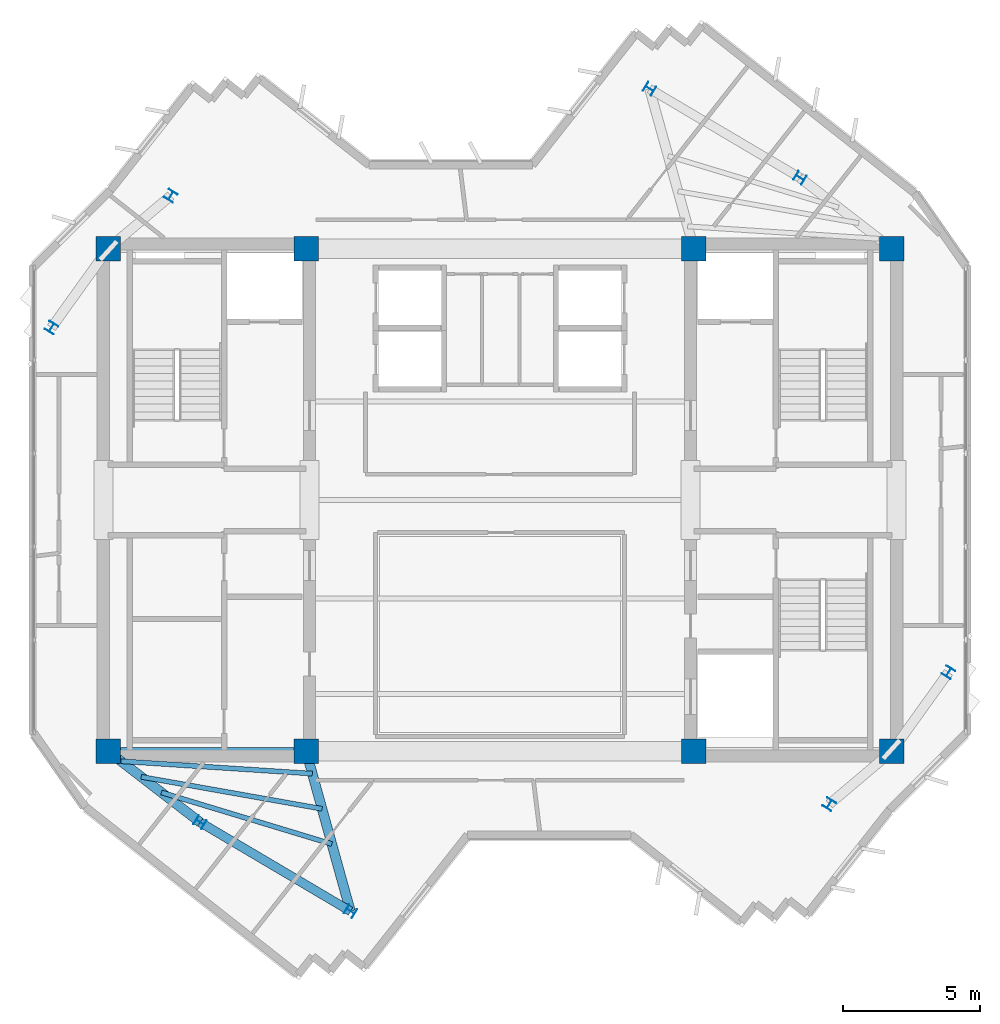
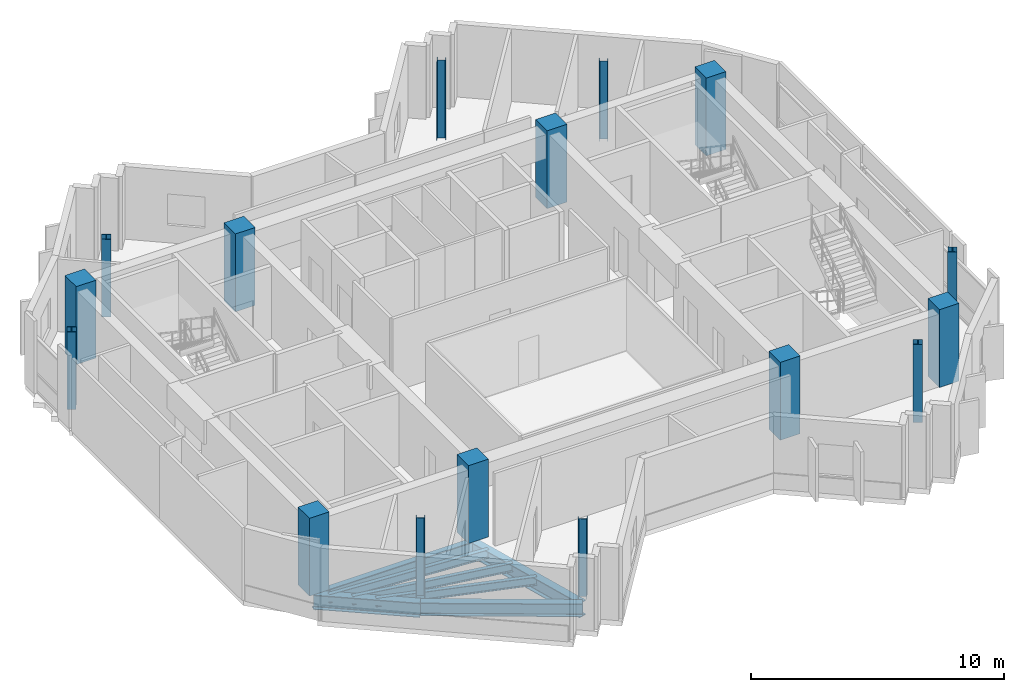
# One storey, part 1 of 10: 16 columns, 7 beams.
"""IFC4 building model written with IfcOpenShell, lengths in metres."""

from ifc_helpers import new_model, si_unit, direction, frame, origin, origin_2d, place, context, subcontext, project, spatial, rectangle, i_section, extrude, source, transform, mapped, material, material_profile, profile_set, type_object, element, save


model = new_model("IFC4")

# Units and contexts
model_context = context("Model", 3, precision=1e-05, world=origin(), true_north=direction((0.0, 1.0)))
body_context = subcontext(model_context, "Body", "Model", "MODEL_VIEW")
ifc_project = project(units=[si_unit("LENGTHUNIT", "METRE"), si_unit("AREAUNIT", "SQUARE_METRE"), si_unit("VOLUMEUNIT", "CUBIC_METRE"), si_unit("PLANEANGLEUNIT", "RADIAN"), si_unit("MASSUNIT", "GRAM", prefix="KILO")], contexts=[model_context])

# Site, building, storey
site_placement = place(None, origin())
site = spatial("IfcSite", under=ifc_project, at=site_placement, CompositionType="ELEMENT")
building_placement = place(site_placement, origin())
building = spatial("IfcBuilding", under=site, at=building_placement, Name="Zahravan Cultural Tower", CompositionType="ELEMENT")
storey_placement = place(building_placement, frame((0.0, 0.0, 327.300048828125)))
storey = spatial("IfcBuildingStorey", under=building, at=storey_placement, Name="L79", CompositionType="ELEMENT", Elevation=327.300048828125)

# Columns
ifc_material_1 = material(Name="Concrete C50/60", Category="concrete")
ifc_material_profile_1 = material_profile(ifc_material_1, rectangle(XDim=0.89990234375, YDim=0.89990234375, at=origin_2d()), Name="RC900X900")
ifc_profile_set_1 = profile_set([ifc_material_profile_1], Name="Concrete C50/60")
column_type_1 = type_object("IfcColumnType", Name="COL-RC900", PredefinedType="COLUMN", material=ifc_profile_set_1)
shared_shape_1 = source(origin(), body_context, "Body", "SweptSolid", [
    extrude(rectangle(XDim=0.89990234375, YDim=0.89990234375, at=origin_2d()), origin(), (0.0, 0.0, 1.0), 3.75),
])
for number, where, z_axis, x_axis, name in (
    (1, (21.64990234375, 17.800048828125, 0.0), (0.0, 0.0, 1.0), (1.0, 0.0, 0.0), "L79 Column CC-W1"),
    (2, (28.89990234375, 17.800048828125, 0.0), (0.0, 0.0, 1.0), (1.0, 0.0, 0.0), "L79 Column CC-W2"),
    (3, (21.64990234375, 36.199951171875, 0.0), (0.0, 0.0, 1.0), (1.0, 0.0, 0.0), "L79 Column CC-W3"),
    (4, (28.89990234375, 36.199951171875, 0.0), (0.0, 0.0, 1.0), (1.0, 0.0, 0.0), "L79 Column CC-W4"),
    (5, (43.10009765625, 17.800048828125, 0.0), (0.0, 0.0, 1.0), (1.0, 0.0, 0.0), "L79 Column CC-E1"),
    (6, (50.35009765625, 17.800048828125, 0.0), (0.0, 0.0, 1.0), (1.0, 0.0, 0.0), "L79 Column CC-E2"),
    (7, (43.10009765625, 36.199951171875, 0.0), (0.0, 0.0, 1.0), (1.0, 0.0, 0.0), "L79 Column CC-E3"),
    (8, (50.35009765625, 36.199951171875, 0.0), (0.0, 0.0, 1.0), (1.0, 0.0, 0.0), "L79 Column CC-E4"),
):
    element("IfcColumn", number, at=place(storey_placement, frame(where, z_axis=z_axis, x_axis=x_axis)), inside=storey, type_object=column_type_1, Name=name, PredefinedType="COLUMN", context=body_context, shape_type="MappedRepresentation", body=[
        mapped(shared_shape_1, transform((0.0, 0.0, 0.0), x_axis=(1.0, 0.0, 0.0), y_axis=(0.0, 1.0, 0.0), z_axis=(0.0, 0.0, 1.0), scale=1.0)),
    ])
ifc_material_2 = material(Name="Steel ASTM A992 Grade 50", Category="steel")
ifc_material_profile_2 = material_profile(ifc_material_2, i_section(OverallWidth=0.368896484375, OverallDepth=0.35595703125, WebThickness=0.01123046875, FlangeThickness=0.01806640625, FilletRadius=0.01806640625, at=origin_2d()), Name="W14X90")
ifc_profile_set_2 = profile_set([ifc_material_profile_2], Name="Steel ASTM A992 Grade 50")
column_type_2 = type_object("IfcColumnType", Name="COL-W14X90", PredefinedType="COLUMN", material=ifc_profile_set_2)
shared_shape_2 = source(origin(), body_context, "Body", "SweptSolid", [
    extrude(i_section(OverallWidth=0.368896484375, OverallDepth=0.35595703125, WebThickness=0.01123046875, FlangeThickness=0.01806640625, FilletRadius=0.01806640625, at=origin_2d()), origin(), (0.0, 0.0, 1.0), 3.75),
])
for number, where, z_axis, x_axis, name in (
    (9, (46.98388671875, 38.7998046875, 0.0), (0.0, 0.0, 1.0), (0.522498564716, 0.852640164354, 0.0), "L79 Column Z4C-E1"),
    (10, (41.474853515625, 42.058349609375, 0.0), (0.0, 0.0, 1.0), (0.522498564716, 0.852640164354, 0.0), "L79 Column Z4C-E2"),
    (11, (23.944580078125, 38.140625, 0.0), (0.0, 0.0, 1.0), (-0.852640164354, 0.522498564716, 0.0), "L79 Column Z4C-N1"),
    (12, (19.577392578125, 33.310791015625, 0.0), (0.0, 0.0, 1.0), (-0.852640164354, 0.522498564716, 0.0), "L79 Column Z4C-N2"),
    (13, (25.01611328125, 15.2001953125, 0.0), (0.0, 0.0, 1.0), (0.522498564716, 0.852640164354, 0.0), "L79 Column Z4C-W1"),
    (14, (30.525146484375, 11.941650390625, 0.0), (0.0, 0.0, 1.0), (0.522498564716, 0.852640164354, 0.0), "L79 Column Z4C-W2"),
    (15, (48.055419921875, 15.859375, 0.0), (0.0, 0.0, 1.0), (-0.852640164354, 0.522498564716, 0.0), "L79 Column Z4C-S1"),
    (16, (52.422607421875, 20.689208984375, 0.0), (0.0, 0.0, 1.0), (-0.852640164354, 0.522498564716, 0.0), "L79 Column Z4C-S2"),
):
    element("IfcColumn", number, at=place(storey_placement, frame(where, z_axis=z_axis, x_axis=x_axis)), inside=storey, type_object=column_type_2, Name=name, PredefinedType="COLUMN", context=body_context, shape_type="MappedRepresentation", body=[
        mapped(shared_shape_2, transform((0.0, 0.0, 0.0), x_axis=(1.0, 0.0, 0.0), y_axis=(0.0, 1.0, 0.0), z_axis=(0.0, 0.0, 1.0), scale=1.0)),
    ])

# Beams
ifc_material_profile_3 = material_profile(ifc_material_2, i_section(OverallWidth=0.26611328125, OverallDepth=0.780029296875, WebThickness=0.0166015625, FlangeThickness=0.030029296875, FilletRadius=0.01904296875, at=origin_2d()), Name="W30X148")
ifc_profile_set_3 = profile_set([ifc_material_profile_3], Name="Steel ASTM A992 Grade 50")
beam_type_1 = type_object("IfcBeamType", Name="BM-G-W30X148", PredefinedType="BEAM", material=ifc_profile_set_3)
shared_shape_3 = source(origin(), body_context, "Body", "SweptSolid", [
    extrude(i_section(OverallWidth=0.26611328125, OverallDepth=0.780029296875, WebThickness=0.0166015625, FlangeThickness=0.030029296875, FilletRadius=0.01904296875, at=origin_2d()), origin(), (0.0, 0.0, 1.0), 7.25),
])
beam_1_placement = place(storey_placement, frame((21.64990234375, 17.800048828125, -0.64013671875), z_axis=(1.0, 0.0, 0.0), x_axis=(0.0, 1.0, 0.0)))
element("IfcBeam", 17, at=beam_1_placement, inside=storey, type_object=beam_type_1, Name="L79 Beam BG-L79-01", PredefinedType="BEAM", context=body_context, shape_type="MappedRepresentation", body=[
    mapped(shared_shape_3, transform((0.0, 0.0, 0.0), x_axis=(1.0, 0.0, 0.0), y_axis=(0.0, 1.0, 0.0), z_axis=(0.0, 0.0, 1.0), scale=1.0)),
])
ifc_material_profile_4 = material_profile(ifc_material_2, i_section(OverallWidth=0.35498046875, OverallDepth=0.696044921875, WebThickness=0.015380859375, FlangeThickness=0.025146484375, FilletRadius=0.01806640625, at=origin_2d()), Name="W27X146")
ifc_profile_set_4 = profile_set([ifc_material_profile_4], Name="Steel ASTM A992 Grade 50")
beam_type_2 = type_object("IfcBeamType", Name="BM-G-W27X146", PredefinedType="BEAM", material=ifc_profile_set_4)
shared_shape_4 = source(origin(), body_context, "Body", "SweptSolid", [
    extrude(i_section(OverallWidth=0.35498046875, OverallDepth=0.696044921875, WebThickness=0.015380859375, FlangeThickness=0.025146484375, FilletRadius=0.01806640625, at=origin_2d()), origin(), (0.0, 0.0, 1.0), 4.25341796875),
])
beam_2_placement = place(storey_placement, frame((21.64990234375, 17.800048828125, -0.59814453125), z_axis=(0.791433936253, -0.611254713313, 0.0), x_axis=(0.611254713313, 0.791433936253, 0.0)))
element("IfcBeam", 18, at=beam_2_placement, inside=storey, type_object=beam_type_2, Name="L79 Beam BG-L79-07", PredefinedType="BEAM", context=body_context, shape_type="MappedRepresentation", body=[
    mapped(shared_shape_4, transform((0.0, 0.0, 0.0), x_axis=(1.0, 0.0, 0.0), y_axis=(0.0, 1.0, 0.0), z_axis=(0.0, 0.0, 1.0), scale=1.0)),
])
shared_shape_5 = source(origin(), body_context, "Body", "SweptSolid", [
    extrude(i_section(OverallWidth=0.35498046875, OverallDepth=0.696044921875, WebThickness=0.015380859375, FlangeThickness=0.025146484375, FilletRadius=0.01806640625, at=origin_2d()), origin(), (0.0, 0.0, 1.0), 6.07958984375),
])
beam_3_placement = place(storey_placement, frame((28.89990234375, 17.800048828125, -0.59814453125), z_axis=(0.267324894686, -0.963606455292, 0.0), x_axis=(0.963606455292, 0.267324894686, 0.0)))
element("IfcBeam", 19, at=beam_3_placement, inside=storey, type_object=beam_type_2, Name="L79 Beam BG-L79-08", PredefinedType="BEAM", context=body_context, shape_type="MappedRepresentation", body=[
    mapped(shared_shape_5, transform((0.0, 0.0, 0.0), x_axis=(1.0, 0.0, 0.0), y_axis=(0.0, 1.0, 0.0), z_axis=(0.0, 0.0, 1.0), scale=1.0)),
])
ifc_material_profile_5 = material_profile(ifc_material_2, i_section(OverallWidth=0.326904296875, OverallDepth=0.6220703125, WebThickness=0.015380859375, FlangeThickness=0.0244140625, FilletRadius=0.014892578125, at=origin_2d()), Name="W24X131")
ifc_profile_set_5 = profile_set([ifc_material_profile_5], Name="Steel ASTM A992 Grade 50")
beam_type_3 = type_object("IfcBeamType", Name="BM-SP-W24X131", PredefinedType="SPANDREL", material=ifc_profile_set_5)
shared_shape_6 = source(origin(), body_context, "Body", "SweptSolid", [
    extrude(i_section(OverallWidth=0.326904296875, OverallDepth=0.6220703125, WebThickness=0.015380859375, FlangeThickness=0.0244140625, FilletRadius=0.014892578125, at=origin_2d()), origin(), (0.0, 0.0, 1.0), 6.400634765625),
])
beam_4_placement = place(storey_placement, frame((25.01611328125, 15.2001953125, -0.56103515625), z_axis=(0.860706991833, -0.509100652337, 0.0), x_axis=(0.509100652337, 0.860706991833, 0.0)))
element("IfcBeam", 20, at=beam_4_placement, inside=storey, type_object=beam_type_3, Name="L79 Beam SP-L79-15", PredefinedType="SPANDREL", context=body_context, shape_type="MappedRepresentation", body=[
    mapped(shared_shape_6, transform((0.0, 0.0, 0.0), x_axis=(1.0, 0.0, 0.0), y_axis=(0.0, 1.0, 0.0), z_axis=(0.0, 0.0, 1.0), scale=1.0)),
])
ifc_material_profile_6 = material_profile(ifc_material_2, i_section(OverallWidth=0.177978515625, OverallDepth=0.406005859375, WebThickness=0.0078125, FlangeThickness=0.0126953125, FilletRadius=0.011962890625, at=origin_2d()), Name="W16X40")
ifc_profile_set_6 = profile_set([ifc_material_profile_6], Name="Steel ASTM A992 Grade 50")
beam_type_4 = type_object("IfcBeamType", Name="BM-J-W16X40", PredefinedType="JOIST", material=ifc_profile_set_6)
shared_shape_7 = source(origin(), body_context, "Body", "SweptSolid", [
    extrude(i_section(OverallWidth=0.177978515625, OverallDepth=0.406005859375, WebThickness=0.0078125, FlangeThickness=0.0126953125, FilletRadius=0.011962890625, at=origin_2d()), origin(), (0.0, 0.0, 1.0), 7.02099609375),
])
beam_5_placement = place(storey_placement, frame((22.121337890625, 17.43603515625, -0.453125), z_axis=(0.99788584579, -0.064991066863, 0.0), x_axis=(0.064991066863, 0.99788584579, 0.0)))
element("IfcBeam", 21, at=beam_5_placement, inside=storey, type_object=beam_type_4, Name="L79 Beam BJ-L79-24", PredefinedType="JOIST", context=body_context, shape_type="MappedRepresentation", body=[
    mapped(shared_shape_7, transform((0.0, 0.0, 0.0), x_axis=(1.0, 0.0, 0.0), y_axis=(0.0, 1.0, 0.0), z_axis=(0.0, 0.0, 1.0), scale=1.0)),
])
shared_shape_8 = source(origin(), body_context, "Body", "SweptSolid", [
    extrude(i_section(OverallWidth=0.177978515625, OverallDepth=0.406005859375, WebThickness=0.0078125, FlangeThickness=0.0126953125, FilletRadius=0.011962890625, at=origin_2d()), origin(), (0.0, 0.0, 1.0), 6.726318359375),
])
beam_6_placement = place(storey_placement, frame((22.86181640625, 16.864013671875, -0.453125), z_axis=(0.98467447748, -0.17440233198, 0.0), x_axis=(0.17440233198, 0.98467447748, 0.0)))
element("IfcBeam", 22, at=beam_6_placement, inside=storey, type_object=beam_type_4, Name="L79 Beam BJ-L79-26", PredefinedType="JOIST", context=body_context, shape_type="MappedRepresentation", body=[
    mapped(shared_shape_8, transform((0.0, 0.0, 0.0), x_axis=(1.0, 0.0, 0.0), y_axis=(0.0, 1.0, 0.0), z_axis=(0.0, 0.0, 1.0), scale=1.0)),
])
shared_shape_9 = source(origin(), body_context, "Body", "SweptSolid", [
    extrude(i_section(OverallWidth=0.177978515625, OverallDepth=0.406005859375, WebThickness=0.0078125, FlangeThickness=0.0126953125, FilletRadius=0.011962890625, at=origin_2d()), origin(), (0.0, 0.0, 1.0), 6.520263671875),
])
beam_7_placement = place(storey_placement, frame((23.602294921875, 16.292236328125, -0.453125), z_axis=(0.957060297679, -0.289888921151, 0.0), x_axis=(0.289888921151, 0.957060297679, 0.0)))
element("IfcBeam", 23, at=beam_7_placement, inside=storey, type_object=beam_type_4, Name="L79 Beam BJ-L79-28", PredefinedType="JOIST", context=body_context, shape_type="MappedRepresentation", body=[
    mapped(shared_shape_9, transform((0.0, 0.0, 0.0), x_axis=(1.0, 0.0, 0.0), y_axis=(0.0, 1.0, 0.0), z_axis=(0.0, 0.0, 1.0), scale=1.0)),
])

save(model, "model.ifc")
